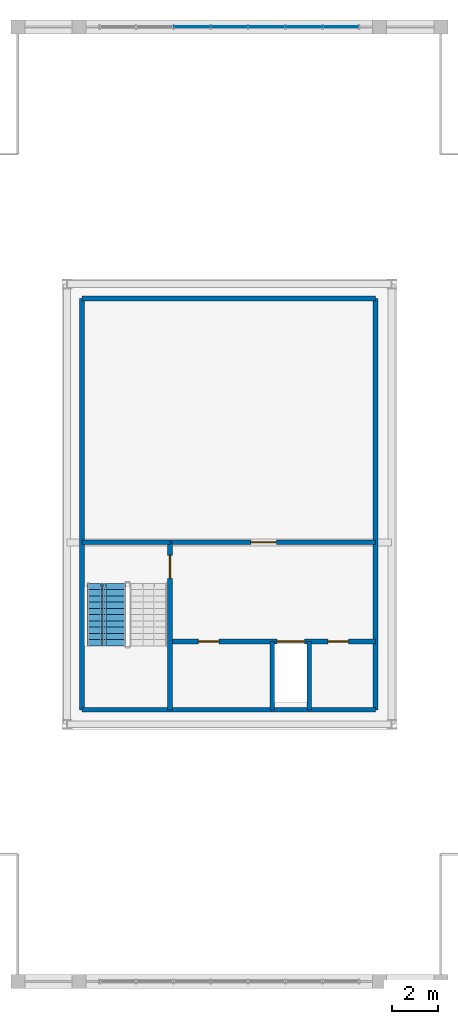
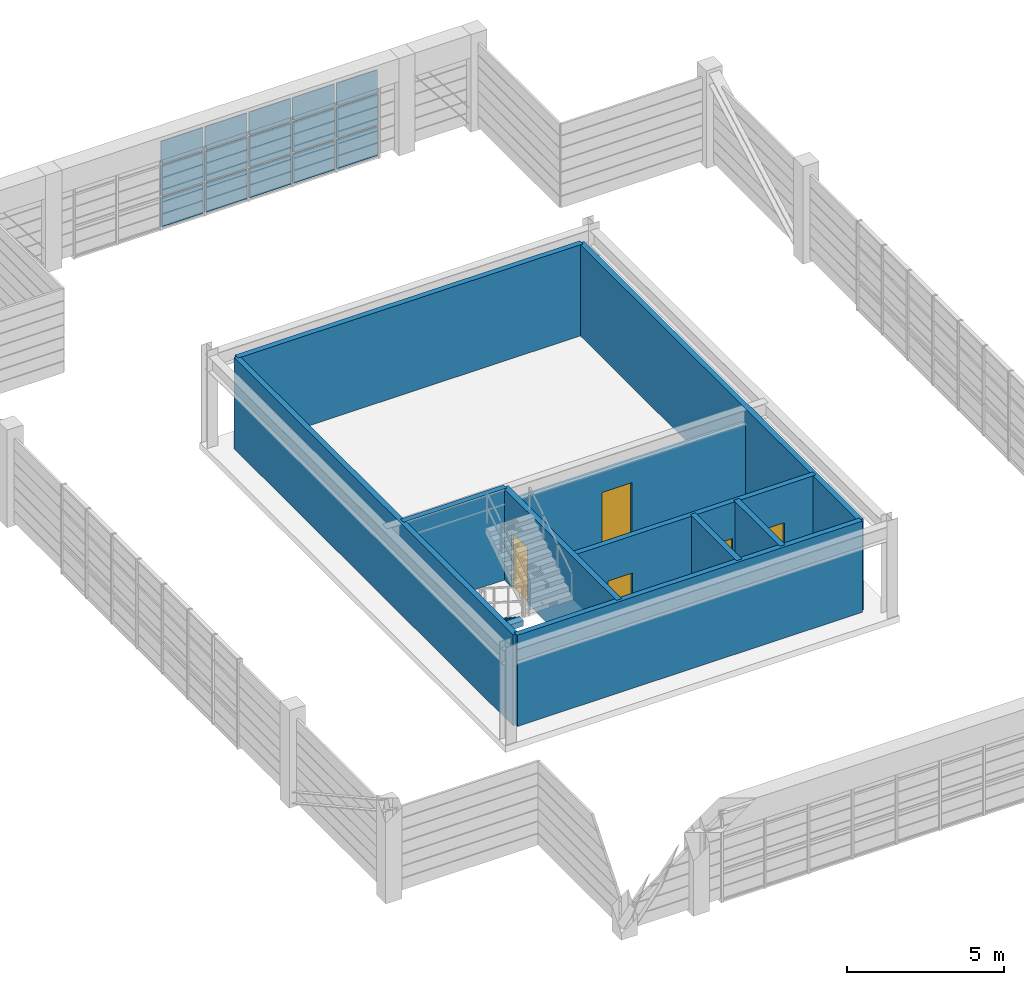
# One storey, part 17 of 21: 15 plates, 10 walls, 5 doors, 1 stair flight, 5 openings, 2 elements without a shape of their own.
"""IFC4 building model written with IfcOpenShell, lengths in metres."""

from ifc_helpers import new_model, si_unit, direction, frame, frame_2d, origin, origin_2d, place, context, subcontext, project, spatial, polyline, rectangle, outline, extrude, source, transform, mapped, material, layer, layer_set, type_object, element, fill, aggregate, save


model = new_model("IFC4")

# Units and contexts
model_context = context("Model", 3, precision=1e-05, world=origin(), true_north=direction((0.0, 1.0)))
body_context = subcontext(model_context, "Body", "Model", "MODEL_VIEW")
ifc_project = project(units=[si_unit("LENGTHUNIT", "METRE"), si_unit("AREAUNIT", "SQUARE_METRE"), si_unit("VOLUMEUNIT", "CUBIC_METRE"), si_unit("PLANEANGLEUNIT", "RADIAN"), si_unit("MASSUNIT", "GRAM", prefix="KILO")], contexts=[model_context])

# Site, building, storey
site_placement = place(None, origin())
site = spatial("IfcSite", under=ifc_project, at=site_placement, CompositionType="ELEMENT")
building_placement = place(site_placement, origin())
building = spatial("IfcBuilding", under=site, at=building_placement, Name="Saelheon Loggia Tower", CompositionType="ELEMENT")
storey_placement = place(building_placement, frame((0.0, 0.0, 259.800048828125)))
storey = spatial("IfcBuildingStorey", under=building, at=storey_placement, Name="CR3", CompositionType="ELEMENT", Elevation=259.800048828125)

# Curtain wall, plates
ifc_material_1 = material(Name="Bronze-Anodised Aluminium and Fritted Ceramic Screen", Category="aluminium")
ifc_layer_1 = layer(ifc_material_1, 0.219970703125)
ifc_layer_set_1 = layer_set([ifc_layer_1], Name="Bronze-Anodised Aluminium and Fritted Ceramic Screen")
curtain_wall_type = type_object("IfcCurtainWallType", Name="CW_CrownScreen", PredefinedType="NOTDEFINED", material=ifc_layer_set_1)
curtain_wall_placement = place(storey_placement, origin())
curtain_wall = element("IfcCurtainWall", 1, at=curtain_wall_placement, inside=storey, type_object=curtain_wall_type, Name="CR3 Crown Central Screen Curtain Wall 6", PredefinedType="NOTDEFINED")
ifc_material_2 = material(Name="Bronze Ceramic Fritted Spandrel Panel", Category="aluminium")
ifc_layer_2 = layer(ifc_material_2, 0.0380859375)
ifc_layer_set_2 = layer_set([ifc_layer_2], Name="Bronze Ceramic Fritted Spandrel Panel")
plate_type = type_object("IfcPlateType", Name="CW_CrownScreen_Panel", PredefinedType="CURTAIN_PANEL", material=ifc_layer_set_2)
shared_shape_1 = source(origin(), body_context, "Body", "SweptSolid", [
    extrude(rectangle(XDim=1.50927734375, YDim=0.0380859375, at=origin_2d()), origin(), (0.0, 0.0, 1.0), 1.14501953125),
])
plate_1_placement = place(storey_placement, frame((42.825439453125, 47.64990234375, 0.06982421875), z_axis=(0.0, 0.0, 1.0), x_axis=(1.0, 0.0, 0.0)))
plate_1 = element("IfcPlate", 2, at=plate_1_placement, type_object=plate_type, Name="CW6 panel 7.1", PredefinedType="CURTAIN_PANEL", context=body_context, shape_type="MappedRepresentation", body=[
    mapped(shared_shape_1, transform((0.0, 0.0, 0.0), scale=1.0)),
])
shared_shape_2 = source(origin(), body_context, "Body", "SweptSolid", [
    extrude(rectangle(XDim=1.50927734375, YDim=0.0380859375, at=origin_2d()), origin(), (0.0, 0.0, 1.0), 1.179931640625),
])
plate_2_placement = place(storey_placement, frame((42.825439453125, 47.64990234375, 1.28515625), z_axis=(0.0, 0.0, 1.0), x_axis=(1.0, 0.0, 0.0)))
plate_2 = element("IfcPlate", 3, at=plate_2_placement, type_object=plate_type, Name="CW6 panel 7.2", PredefinedType="CURTAIN_PANEL", context=body_context, shape_type="MappedRepresentation", body=[
    mapped(shared_shape_2, transform((0.0, 0.0, 0.0), scale=1.0)),
])
shared_shape_3 = source(origin(), body_context, "Body", "SweptSolid", [
    extrude(rectangle(XDim=1.50927734375, YDim=0.0380859375, at=origin_2d()), origin(), (0.0, 0.0, 1.0), 0.875),
])
plate_3_placement = place(storey_placement, frame((42.825439453125, 47.64990234375, 2.534912109375), z_axis=(0.0, 0.0, 1.0), x_axis=(1.0, 0.0, 0.0)))
plate_3 = element("IfcPlate", 4, at=plate_3_placement, type_object=plate_type, Name="CW6 panel 7.3", PredefinedType="CURTAIN_PANEL", context=body_context, shape_type="MappedRepresentation", body=[
    mapped(shared_shape_3, transform((0.0, 0.0, 0.0), scale=1.0)),
])
shared_shape_4 = source(origin(), body_context, "Body", "SweptSolid", [
    extrude(rectangle(XDim=1.544189453125, YDim=0.0380859375, at=origin_2d()), origin(), (0.0, 0.0, 1.0), 1.14501953125),
])
plate_4_placement = place(storey_placement, frame((36.3857421875, 47.64990234375, 0.06982421875), z_axis=(0.0, 0.0, 1.0), x_axis=(1.0, 0.0, 0.0)))
plate_4 = element("IfcPlate", 5, at=plate_4_placement, type_object=plate_type, Name="CW6 panel 3.1", PredefinedType="CURTAIN_PANEL", context=body_context, shape_type="MappedRepresentation", body=[
    mapped(shared_shape_4, transform((0.0, 0.0, 0.0), scale=1.0)),
])
plate_5_placement = place(storey_placement, frame((38.0, 47.64990234375, 0.06982421875), z_axis=(0.0, 0.0, 1.0), x_axis=(1.0, 0.0, 0.0)))
plate_5 = element("IfcPlate", 6, at=plate_5_placement, type_object=plate_type, Name="CW6 panel 4.1", PredefinedType="CURTAIN_PANEL", context=body_context, shape_type="MappedRepresentation", body=[
    mapped(shared_shape_4, transform((0.0, 0.0, 0.0), scale=1.0)),
])
plate_6_placement = place(storey_placement, frame((39.6142578125, 47.64990234375, 0.06982421875), z_axis=(0.0, 0.0, 1.0), x_axis=(1.0, 0.0, 0.0)))
plate_6 = element("IfcPlate", 7, at=plate_6_placement, type_object=plate_type, Name="CW6 panel 5.1", PredefinedType="CURTAIN_PANEL", context=body_context, shape_type="MappedRepresentation", body=[
    mapped(shared_shape_4, transform((0.0, 0.0, 0.0), scale=1.0)),
])
plate_7_placement = place(storey_placement, frame((41.228515625, 47.64990234375, 0.06982421875), z_axis=(0.0, 0.0, 1.0), x_axis=(1.0, 0.0, 0.0)))
plate_7 = element("IfcPlate", 8, at=plate_7_placement, type_object=plate_type, Name="CW6 panel 6.1", PredefinedType="CURTAIN_PANEL", context=body_context, shape_type="MappedRepresentation", body=[
    mapped(shared_shape_4, transform((0.0, 0.0, 0.0), scale=1.0)),
])
shared_shape_5 = source(origin(), body_context, "Body", "SweptSolid", [
    extrude(rectangle(XDim=1.544189453125, YDim=0.0380859375, at=origin_2d()), origin(), (0.0, 0.0, 1.0), 1.179931640625),
])
plate_8_placement = place(storey_placement, frame((36.3857421875, 47.64990234375, 1.28515625), z_axis=(0.0, 0.0, 1.0), x_axis=(1.0, 0.0, 0.0)))
plate_8 = element("IfcPlate", 9, at=plate_8_placement, type_object=plate_type, Name="CW6 panel 3.2", PredefinedType="CURTAIN_PANEL", context=body_context, shape_type="MappedRepresentation", body=[
    mapped(shared_shape_5, transform((0.0, 0.0, 0.0), scale=1.0)),
])
plate_9_placement = place(storey_placement, frame((38.0, 47.64990234375, 1.28515625), z_axis=(0.0, 0.0, 1.0), x_axis=(1.0, 0.0, 0.0)))
plate_9 = element("IfcPlate", 10, at=plate_9_placement, type_object=plate_type, Name="CW6 panel 4.2", PredefinedType="CURTAIN_PANEL", context=body_context, shape_type="MappedRepresentation", body=[
    mapped(shared_shape_5, transform((0.0, 0.0, 0.0), scale=1.0)),
])
plate_10_placement = place(storey_placement, frame((39.6142578125, 47.64990234375, 1.28515625), z_axis=(0.0, 0.0, 1.0), x_axis=(1.0, 0.0, 0.0)))
plate_10 = element("IfcPlate", 11, at=plate_10_placement, type_object=plate_type, Name="CW6 panel 5.2", PredefinedType="CURTAIN_PANEL", context=body_context, shape_type="MappedRepresentation", body=[
    mapped(shared_shape_5, transform((0.0, 0.0, 0.0), scale=1.0)),
])
plate_11_placement = place(storey_placement, frame((41.228515625, 47.64990234375, 1.28515625), z_axis=(0.0, 0.0, 1.0), x_axis=(1.0, 0.0, 0.0)))
plate_11 = element("IfcPlate", 12, at=plate_11_placement, type_object=plate_type, Name="CW6 panel 6.2", PredefinedType="CURTAIN_PANEL", context=body_context, shape_type="MappedRepresentation", body=[
    mapped(shared_shape_5, transform((0.0, 0.0, 0.0), scale=1.0)),
])
shared_shape_6 = source(origin(), body_context, "Body", "SweptSolid", [
    extrude(rectangle(XDim=1.544189453125, YDim=0.0380859375, at=origin_2d()), origin(), (0.0, 0.0, 1.0), 0.875),
])
plate_12_placement = place(storey_placement, frame((36.3857421875, 47.64990234375, 2.534912109375), z_axis=(0.0, 0.0, 1.0), x_axis=(1.0, 0.0, 0.0)))
plate_12 = element("IfcPlate", 13, at=plate_12_placement, type_object=plate_type, Name="CW6 panel 3.3", PredefinedType="CURTAIN_PANEL", context=body_context, shape_type="MappedRepresentation", body=[
    mapped(shared_shape_6, transform((0.0, 0.0, 0.0), scale=1.0)),
])
plate_13_placement = place(storey_placement, frame((38.0, 47.64990234375, 2.534912109375), z_axis=(0.0, 0.0, 1.0), x_axis=(1.0, 0.0, 0.0)))
plate_13 = element("IfcPlate", 14, at=plate_13_placement, type_object=plate_type, Name="CW6 panel 4.3", PredefinedType="CURTAIN_PANEL", context=body_context, shape_type="MappedRepresentation", body=[
    mapped(shared_shape_6, transform((0.0, 0.0, 0.0), scale=1.0)),
])
plate_14_placement = place(storey_placement, frame((39.6142578125, 47.64990234375, 2.534912109375), z_axis=(0.0, 0.0, 1.0), x_axis=(1.0, 0.0, 0.0)))
plate_14 = element("IfcPlate", 15, at=plate_14_placement, type_object=plate_type, Name="CW6 panel 5.3", PredefinedType="CURTAIN_PANEL", context=body_context, shape_type="MappedRepresentation", body=[
    mapped(shared_shape_6, transform((0.0, 0.0, 0.0), scale=1.0)),
])
plate_15_placement = place(storey_placement, frame((41.228515625, 47.64990234375, 2.534912109375), z_axis=(0.0, 0.0, 1.0), x_axis=(1.0, 0.0, 0.0)))
plate_15 = element("IfcPlate", 16, at=plate_15_placement, type_object=plate_type, Name="CW6 panel 6.3", PredefinedType="CURTAIN_PANEL", context=body_context, shape_type="MappedRepresentation", body=[
    mapped(shared_shape_6, transform((0.0, 0.0, 0.0), scale=1.0)),
])
aggregate(curtain_wall, [plate_4, plate_8, plate_12, plate_5, plate_9, plate_13, plate_6, plate_10, plate_14, plate_7, plate_11, plate_15, plate_1, plate_2, plate_3])

# Walls
ifc_material_3 = material(Name="Concrete C40/50", Category="concrete")
ifc_layer_3 = layer(ifc_material_3, 0.199951171875)
ifc_layer_set_3 = layer_set([ifc_layer_3], Name="Concrete C40/50")
wall_type_1 = type_object("IfcWallType", Name="Wall_Shaft_200", PredefinedType="PARTITIONING", material=ifc_layer_set_3)
for number, where, z_axis, x_axis, name in (
    (17, (39.85009765625, 18.10009765625, 0.0), (0.0, 0.0, 1.0), (0.0, 1.0, 0.0), "CR3 SV1 Shaft West Wall"),
    (18, (41.449951171875, 18.10009765625, 0.0), (0.0, 0.0, 1.0), (0.0, 1.0, 0.0), "CR3 SV1 Shaft East Wall"),
):
    element("IfcWall", number, at=place(storey_placement, frame(where, z_axis=z_axis, x_axis=x_axis)), inside=storey, type_object=wall_type_1, Name=name, PredefinedType="PARTITIONING", context=body_context, shape_type="SweptSolid", body=[
        extrude(rectangle(XDim=2.9599609375, YDim=0.199951171875, at=frame_2d((1.47998046875, 0.0))), origin(), (0.0, 0.0, 1.0), 3.550048828125),
    ])

# Wall, openings, doors
wall_1_placement = place(storey_placement, frame((35.429931640625, 21.06005859375, 0.0), z_axis=(0.0, 0.0, 1.0), x_axis=(1.0, 0.0, 0.0)))
wall_1 = element("IfcWall", 19, at=wall_1_placement, inside=storey, type_object=wall_type_1, Name="CR3 SV1 Shaft Front Wall", PredefinedType="PARTITIONING", context=body_context, shape_type="SweptSolid", body=[
    extrude(rectangle(XDim=8.89013671875, YDim=0.199951171875, at=frame_2d((4.445068359375, 0.0))), origin(), (0.0, 0.0, 1.0), 3.550048828125),
])
opening_1_placement = place(wall_1_placement, frame((1.22998046875, 0.0, 0.0)))
opening_1 = element("IfcOpeningElement", 20, at=opening_1_placement, cuts=wall_1, Name="Opening D-RS1", PredefinedType="OPENING", context=body_context, shape_type="SweptSolid", body=[
    extrude(rectangle(XDim=0.89990234375, YDim=2.10009765625, at=frame_2d((0.449951171875, 1.050048828125))), frame((0.0, 0.112060546875, 0.0), z_axis=(0.0, -1.0, 0.0), x_axis=(1.0, 0.0, 0.0)), (0.0, 0.0, 1.0), 0.223876953125),
])
opening_2_placement = place(wall_1_placement, frame((4.6201171875, 0.0, 0.0)))
opening_2 = element("IfcOpeningElement", 21, at=opening_2_placement, cuts=wall_1, Name="Opening LD3", PredefinedType="OPENING", context=body_context, shape_type="SweptSolid", body=[
    extrude(rectangle(XDim=1.199951171875, YDim=2.14990234375, at=frame_2d((0.60009765625, 1.074951171875))), frame((0.0, 0.112060546875, 0.0), z_axis=(0.0, -1.0, 0.0), x_axis=(1.0, 0.0, 0.0)), (0.0, 0.0, 1.0), 0.223876953125),
])
opening_3_placement = place(wall_1_placement, frame((6.830078125, 0.0, 0.0)))
opening_3 = element("IfcOpeningElement", 22, at=opening_3_placement, cuts=wall_1, Name="Opening D-RS1", PredefinedType="OPENING", context=body_context, shape_type="SweptSolid", body=[
    extrude(rectangle(XDim=0.89990234375, YDim=2.10009765625, at=frame_2d((0.449951171875, 1.050048828125))), frame((0.0, 0.112060546875, 0.0), z_axis=(0.0, -1.0, 0.0), x_axis=(1.0, 0.0, 0.0)), (0.0, 0.0, 1.0), 0.223876953125),
])
ifc_material_4 = material(Name="Galvanised Steel Riser Access Door", Category="steel")
door_type_1 = type_object("IfcDoorType", Name="Door_Riser_FD60", OperationType="NOTDEFINED", PredefinedType="DOOR", material=ifc_material_4)
shared_shape_7 = source(origin(), body_context, "Body", "SweptSolid", [
    extrude(rectangle(XDim=0.89990234375, YDim=2.10009765625, at=frame_2d((0.449951171875, 1.050048828125))), frame((0.0, 0.02490234375, 0.0), z_axis=(0.0, -1.0, 0.0), x_axis=(1.0, 0.0, 0.0)), (0.0, 0.0, 1.0), 0.050048828125),
])
door_1_placement = place(opening_1_placement, origin())
door_1 = element("IfcDoor", 23, at=door_1_placement, inside=storey, type_object=door_type_1, Name="CR3 West Riser Closet Door", OperationType="SINGLE_SWING_LEFT", OverallHeight=2.10009765625, OverallWidth=0.89990234375, PredefinedType="DOOR", context=body_context, shape_type="MappedRepresentation", body=[
    mapped(shared_shape_7, transform((0.0, 0.0, 0.0), scale=1.0)),
])
fill(opening_1, door_1)
door_2_placement = place(opening_3_placement, origin())
door_2 = element("IfcDoor", 24, at=door_2_placement, inside=storey, type_object=door_type_1, Name="CR3 East Riser Closet Door", OperationType="SINGLE_SWING_RIGHT", OverallHeight=2.10009765625, OverallWidth=0.89990234375, PredefinedType="DOOR", context=body_context, shape_type="MappedRepresentation", body=[
    mapped(shared_shape_7, transform((0.0, 0.0, 0.0), scale=1.0)),
])
fill(opening_3, door_2)
ifc_material_5 = material(Name="Stretcher Lift Stainless Steel 304 Landing Door", Category="steel")
door_type_2 = type_object("IfcDoorType", Name="Door_Lift_LD3", OperationType="DOUBLE_DOOR_SLIDING", PredefinedType="DOOR", material=ifc_material_5)
shared_shape_8 = source(origin(), body_context, "Body", "SweptSolid", [
    extrude(rectangle(XDim=1.199951171875, YDim=2.14990234375, at=frame_2d((0.60009765625, 1.074951171875))), frame((0.0, 0.02490234375, 0.0), z_axis=(0.0, -1.0, 0.0), x_axis=(1.0, 0.0, 0.0)), (0.0, 0.0, 1.0), 0.050048828125),
])
door_3_placement = place(opening_2_placement, origin())
door_3 = element("IfcDoor", 25, at=door_3_placement, inside=storey, type_object=door_type_2, Name="CR3 SV1 Landing Door", OperationType="DOUBLE_DOOR_SLIDING", OverallHeight=2.14990234375, OverallWidth=1.199951171875, PredefinedType="DOOR", context=body_context, shape_type="MappedRepresentation", body=[
    mapped(shared_shape_8, transform((0.0, 0.0, 0.0), scale=1.0)),
])
fill(opening_2, door_3)

# Wall, opening, door
wall_2_placement = place(storey_placement, frame((35.429931640625, 25.360107421875, 0.0), z_axis=(0.0, 0.0, 1.0), x_axis=(1.0, 0.0, 0.0)))
wall_2 = element("IfcWall", 26, at=wall_2_placement, inside=storey, type_object=wall_type_1, Name="CR3 Service Lift Lobby North Wall", PredefinedType="PARTITIONING", context=body_context, shape_type="SweptSolid", body=[
    extrude(rectangle(XDim=8.89013671875, YDim=0.199951171875, at=frame_2d((4.445068359375, 0.0))), origin(), (0.0, 0.0, 1.0), 2.951904296875),
])
opening_4_placement = place(wall_2_placement, frame((3.5, 0.0, 0.0)))
opening_4 = element("IfcOpeningElement", 27, at=opening_4_placement, cuts=wall_2, Name="Opening D-FD2", PredefinedType="OPENING", context=body_context, shape_type="SweptSolid", body=[
    extrude(rectangle(XDim=1.10009765625, YDim=2.14990234375, at=frame_2d((0.550048828125, 1.074951171875))), frame((0.0, 0.112060546875, 0.0), z_axis=(0.0, -1.0, 0.0), x_axis=(1.0, 0.0, 0.0)), (0.0, 0.0, 1.0), 0.223876953125),
])
ifc_material_6 = material(Name="Galvanised Steel Fire Door", Category="steel")
door_type_3 = type_object("IfcDoorType", Name="Door_Fire_FD60_1100", OperationType="NOTDEFINED", PredefinedType="DOOR", material=ifc_material_6)
shared_shape_9 = source(origin(), body_context, "Body", "SweptSolid", [
    extrude(rectangle(XDim=1.10009765625, YDim=2.14990234375, at=frame_2d((0.550048828125, 1.074951171875))), frame((0.0, 0.02490234375, 0.0), z_axis=(0.0, -1.0, 0.0), x_axis=(1.0, 0.0, 0.0)), (0.0, 0.0, 1.0), 0.050048828125),
])
door_4_placement = place(opening_4_placement, origin())
door_4 = element("IfcDoor", 28, at=door_4_placement, inside=storey, type_object=door_type_3, Name="CR3 Crown Mechanical Room Door", OperationType="SINGLE_SWING_LEFT", OverallHeight=2.14990234375, OverallWidth=1.10009765625, PredefinedType="DOOR", context=body_context, shape_type="MappedRepresentation", body=[
    mapped(shared_shape_9, transform((0.0, 0.0, 0.0), scale=1.0)),
])
fill(opening_4, door_4)

# Walls
ifc_material_7 = material(Name="Concrete C45/55", Category="concrete")
ifc_layer_4 = layer(ifc_material_7, 0.199951171875)
ifc_layer_set_4 = layer_set([ifc_layer_4], Name="Concrete C45/55")
wall_type_2 = type_object("IfcWallType", Name="Wall_StairShaft_RC200", PredefinedType="SOLIDWALL", material=ifc_layer_set_4)
for number, where, z_axis, x_axis, name in (
    (29, (31.6201171875, 18.10009765625, 0.0), (0.0, 0.0, 1.0), (0.0, 1.0, 0.0), "CR3 Crown Core West Enclosure Wall"),
    (30, (44.320068359375, 18.10009765625, 0.0), (0.0, 0.0, 1.0), (0.0, 1.0, 0.0), "CR3 Crown Core East Enclosure Wall"),
):
    element("IfcWall", number, at=place(storey_placement, frame(where, z_axis=z_axis, x_axis=x_axis)), inside=storey, type_object=wall_type_2, Name=name, PredefinedType="SOLIDWALL", context=body_context, shape_type="SweptSolid", body=[
        extrude(rectangle(XDim=17.7998046875, YDim=0.199951171875, at=frame_2d((8.89990234375, 0.0))), origin(), (0.0, 0.0, 1.0), 3.550048828125),
    ])
for number, where, z_axis, x_axis, name in (
    (31, (31.6201171875, 18.10009765625, 0.0), (0.0, 0.0, 1.0), (1.0, 0.0, 0.0), "CR3 Crown Core South Enclosure Wall"),
    (32, (31.6201171875, 35.89990234375, 0.0), (0.0, 0.0, 1.0), (1.0, 0.0, 0.0), "CR3 Crown Core North Enclosure Wall"),
):
    element("IfcWall", number, at=place(storey_placement, frame(where, z_axis=z_axis, x_axis=x_axis)), inside=storey, type_object=wall_type_2, Name=name, PredefinedType="SOLIDWALL", context=body_context, shape_type="SweptSolid", body=[
        extrude(rectangle(XDim=12.699951171875, YDim=0.199951171875, at=frame_2d((6.35009765625, 0.0))), origin(), (0.0, 0.0, 1.0), 3.550048828125),
    ])

# Wall, opening, door
wall_3_placement = place(storey_placement, frame((35.429931640625, 18.10009765625, 0.0), z_axis=(0.0, 0.0, 1.0), x_axis=(0.0, 1.0, 0.0)))
wall_3 = element("IfcWall", 33, at=wall_3_placement, inside=storey, type_object=wall_type_2, Name="CR3 ST5 Shaft East Wall", PredefinedType="SOLIDWALL", context=body_context, shape_type="SweptSolid", body=[
    extrude(rectangle(XDim=7.260009765625, YDim=0.199951171875, at=frame_2d((3.6298828125, 0.0))), origin(), (0.0, 0.0, 1.0), 3.550048828125),
])
opening_5_placement = place(wall_3_placement, frame((6.68994140625, 0.0, 0.0), z_axis=(0.0, 0.0, 1.0), x_axis=(-1.0, 0.0, 0.0)))
opening_5 = element("IfcOpeningElement", 34, at=opening_5_placement, cuts=wall_3, Name="Opening D-FD2C", PredefinedType="OPENING", context=body_context, shape_type="SweptSolid", body=[
    extrude(rectangle(XDim=1.0, YDim=2.14990234375, at=frame_2d((0.5, 1.074951171875))), frame((0.0, 0.112060546875, 0.0), z_axis=(0.0, -1.0, 0.0), x_axis=(1.0, 0.0, 0.0)), (0.0, 0.0, 1.0), 0.223876953125),
])
door_type_4 = type_object("IfcDoorType", Name="Door_Fire_FD60_1000", OperationType="NOTDEFINED", PredefinedType="DOOR", material=ifc_material_6)
shared_shape_10 = source(origin(), body_context, "Body", "SweptSolid", [
    extrude(rectangle(XDim=1.0, YDim=2.14990234375, at=frame_2d((0.5, 1.074951171875))), frame((0.0, 0.02490234375, 0.0), z_axis=(0.0, -1.0, 0.0), x_axis=(1.0, 0.0, 0.0)), (0.0, 0.0, 1.0), 0.050048828125),
])
door_5_placement = place(opening_5_placement, origin())
door_5 = element("IfcDoor", 35, at=door_5_placement, inside=storey, type_object=door_type_4, Name="CR3 Crown Stair ST5 Door", OperationType="SINGLE_SWING_RIGHT", OverallHeight=2.14990234375, OverallWidth=1.0, PredefinedType="DOOR", context=body_context, shape_type="MappedRepresentation", body=[
    mapped(shared_shape_10, transform((0.0, 0.0, 0.0), scale=1.0)),
])
fill(opening_5, door_5)

# Wall
wall_4_placement = place(storey_placement, frame((31.6201171875, 25.360107421875, 0.0), z_axis=(0.0, 0.0, 1.0), x_axis=(1.0, 0.0, 0.0)))
element("IfcWall", 36, at=wall_4_placement, inside=storey, type_object=wall_type_2, Name="CR3 ST5 Shaft North Wall", PredefinedType="SOLIDWALL", context=body_context, shape_type="SweptSolid", body=[
    extrude(rectangle(XDim=3.809814453125, YDim=0.199951171875, at=frame_2d((1.90478515625, 0.0))), origin(), (0.0, 0.0, 1.0), 3.550048828125),
])

# Stair, stair flight
stair_type = type_object("IfcStairType", Name="Stair_Plant_Crown", PredefinedType="HALF_TURN_STAIR", material=ifc_material_3)
stair_placement = place(storey_placement, origin())
stair = element("IfcStair", 37, at=stair_placement, inside=storey, type_object=stair_type, Name="CR3 Crown Plant Stair ST5", PredefinedType="HALF_TURN_STAIR")
stair_flight_type = type_object("IfcStairFlightType", Name="StairFlight_Crown_1520", PredefinedType="STRAIGHT", material=ifc_material_3)
stair_flight_placement = place(storey_placement, frame((32.679931640625, 23.570068359375, 0.0), z_axis=(0.0, 0.0, 1.0), x_axis=(0.0, -1.0, 0.0)))
stair_flight = element("IfcStairFlight", 38, at=stair_flight_placement, type_object=stair_flight_type, Name="ST5 flight 1", NumberOfRisers=11, NumberOfTreads=10, PredefinedType="STRAIGHT", RiserHeight=0.172727273, TreadLength=0.27, context=body_context, shape_type="SweptSolid", body=[
    extrude(outline(polyline([(0.0, 0.0), (0.0, 0.172607421875), (0.27001953125, 0.172607421875), (0.27001953125, 0.345458984375), (0.5400390625, 0.345458984375), (0.5400390625, 0.51806640625), (0.81005859375, 0.51806640625), (0.81005859375, 0.69091796875), (1.080078125, 0.69091796875), (1.080078125, 0.863525390625), (1.35009765625, 0.863525390625), (1.35009765625, 1.036376953125), (1.6201171875, 1.036376953125), (1.6201171875, 1.208984375), (1.889892578125, 1.208984375), (1.889892578125, 1.3818359375), (2.159912109375, 1.3818359375), (2.159912109375, 1.554443359375), (2.429931640625, 1.554443359375), (2.429931640625, 1.727294921875), (2.699951171875, 1.727294921875), (2.699951171875, 1.89990234375), (2.699951171875, 1.513671875), (0.333984375, 0.0), (0.0, 0.0)])), frame((0.0, -0.2490234375, 0.0), z_axis=(0.0, -1.0, 0.0), x_axis=(1.0, 0.0, 0.0)), (0.0, 0.0, 1.0), 0.5810546875),
    extrude(outline(polyline([(0.0, 0.0), (0.0, 0.172607421875), (0.27001953125, 0.172607421875), (0.27001953125, 0.345458984375), (0.5400390625, 0.345458984375), (0.5400390625, 0.51806640625), (0.81005859375, 0.51806640625), (0.81005859375, 0.69091796875), (1.080078125, 0.69091796875), (1.080078125, 0.863525390625), (1.35009765625, 0.863525390625), (1.35009765625, 1.036376953125), (1.6201171875, 1.036376953125), (1.6201171875, 1.208984375), (1.889892578125, 1.208984375), (1.889892578125, 1.3818359375), (2.159912109375, 1.3818359375), (2.159912109375, 1.554443359375), (2.429931640625, 1.554443359375), (2.429931640625, 1.727294921875), (2.699951171875, 1.727294921875), (2.699951171875, 1.89990234375), (2.699951171875, 1.513671875), (0.333984375, 0.0), (0.0, 0.0)])), frame((0.0, -0.194091796875, 0.0), z_axis=(0.0, -1.0, 0.0), x_axis=(1.0, 0.0, 0.0)), (0.0, 0.0, 1.0), 0.0498046875),
    extrude(outline(polyline([(0.0, 0.0), (0.0, 0.172607421875), (0.27001953125, 0.172607421875), (0.27001953125, 0.345458984375), (0.5400390625, 0.345458984375), (0.5400390625, 0.51806640625), (0.81005859375, 0.51806640625), (0.81005859375, 0.69091796875), (1.080078125, 0.69091796875), (1.080078125, 0.863525390625), (1.35009765625, 0.863525390625), (1.35009765625, 1.036376953125), (1.6201171875, 1.036376953125), (1.6201171875, 1.208984375), (1.889892578125, 1.208984375), (1.889892578125, 1.3818359375), (2.159912109375, 1.3818359375), (2.159912109375, 1.554443359375), (2.429931640625, 1.554443359375), (2.429931640625, 1.727294921875), (2.699951171875, 1.727294921875), (2.699951171875, 1.89990234375), (2.699951171875, 1.513671875), (0.333984375, 0.0), (0.0, 0.0)])), frame((0.0, -0.139404296875, 0.0), z_axis=(0.0, -1.0, 0.0), x_axis=(1.0, 0.0, 0.0)), (0.0, 0.0, 1.0), 0.0498046875),
    extrude(outline(polyline([(0.0, 0.0), (0.0, 0.172607421875), (0.27001953125, 0.172607421875), (0.27001953125, 0.345458984375), (0.5400390625, 0.345458984375), (0.5400390625, 0.51806640625), (0.81005859375, 0.51806640625), (0.81005859375, 0.69091796875), (1.080078125, 0.69091796875), (1.080078125, 0.863525390625), (1.35009765625, 0.863525390625), (1.35009765625, 1.036376953125), (1.6201171875, 1.036376953125), (1.6201171875, 1.208984375), (1.889892578125, 1.208984375), (1.889892578125, 1.3818359375), (2.159912109375, 1.3818359375), (2.159912109375, 1.554443359375), (2.429931640625, 1.554443359375), (2.429931640625, 1.727294921875), (2.699951171875, 1.727294921875), (2.699951171875, 1.89990234375), (2.699951171875, 1.513671875), (0.333984375, 0.0), (0.0, 0.0)])), frame((0.0, -0.084716796875, 0.0), z_axis=(0.0, -1.0, 0.0), x_axis=(1.0, 0.0, 0.0)), (0.0, 0.0, 1.0), 0.0498046875),
    extrude(outline(polyline([(0.0, 0.0), (0.0, 0.172607421875), (0.27001953125, 0.172607421875), (0.27001953125, 0.345458984375), (0.5400390625, 0.345458984375), (0.5400390625, 0.51806640625), (0.81005859375, 0.51806640625), (0.81005859375, 0.69091796875), (1.080078125, 0.69091796875), (1.080078125, 0.863525390625), (1.35009765625, 0.863525390625), (1.35009765625, 1.036376953125), (1.6201171875, 1.036376953125), (1.6201171875, 1.208984375), (1.889892578125, 1.208984375), (1.889892578125, 1.3818359375), (2.159912109375, 1.3818359375), (2.159912109375, 1.554443359375), (2.429931640625, 1.554443359375), (2.429931640625, 1.727294921875), (2.699951171875, 1.727294921875), (2.699951171875, 1.89990234375), (2.699951171875, 1.513671875), (0.333984375, 0.0), (0.0, 0.0)])), frame((0.0, -0.02978515625, 0.0), z_axis=(0.0, -1.0, 0.0), x_axis=(1.0, 0.0, 0.0)), (0.0, 0.0, 1.0), 0.0498046875),
    extrude(outline(polyline([(0.0, 0.0), (0.0, 0.172607421875), (0.27001953125, 0.172607421875), (0.27001953125, 0.345458984375), (0.5400390625, 0.345458984375), (0.5400390625, 0.51806640625), (0.81005859375, 0.51806640625), (0.81005859375, 0.69091796875), (1.080078125, 0.69091796875), (1.080078125, 0.863525390625), (1.35009765625, 0.863525390625), (1.35009765625, 1.036376953125), (1.6201171875, 1.036376953125), (1.6201171875, 1.208984375), (1.889892578125, 1.208984375), (1.889892578125, 1.3818359375), (2.159912109375, 1.3818359375), (2.159912109375, 1.554443359375), (2.429931640625, 1.554443359375), (2.429931640625, 1.727294921875), (2.699951171875, 1.727294921875), (2.699951171875, 1.89990234375), (2.699951171875, 1.513671875), (0.333984375, 0.0), (0.0, 0.0)])), frame((0.0, 0.02490234375, 0.0), z_axis=(0.0, -1.0, 0.0), x_axis=(1.0, 0.0, 0.0)), (0.0, 0.0, 1.0), 0.0498046875),
    extrude(outline(polyline([(0.0, 0.0), (0.0, 0.172607421875), (0.27001953125, 0.172607421875), (0.27001953125, 0.345458984375), (0.5400390625, 0.345458984375), (0.5400390625, 0.51806640625), (0.81005859375, 0.51806640625), (0.81005859375, 0.69091796875), (1.080078125, 0.69091796875), (1.080078125, 0.863525390625), (1.35009765625, 0.863525390625), (1.35009765625, 1.036376953125), (1.6201171875, 1.036376953125), (1.6201171875, 1.208984375), (1.889892578125, 1.208984375), (1.889892578125, 1.3818359375), (2.159912109375, 1.3818359375), (2.159912109375, 1.554443359375), (2.429931640625, 1.554443359375), (2.429931640625, 1.727294921875), (2.699951171875, 1.727294921875), (2.699951171875, 1.89990234375), (2.699951171875, 1.513671875), (0.333984375, 0.0), (0.0, 0.0)])), frame((0.0, 0.07958984375, 0.0), z_axis=(0.0, -1.0, 0.0), x_axis=(1.0, 0.0, 0.0)), (0.0, 0.0, 1.0), 0.0498046875),
    extrude(outline(polyline([(0.0, 0.0), (0.0, 0.172607421875), (0.27001953125, 0.172607421875), (0.27001953125, 0.345458984375), (0.5400390625, 0.345458984375), (0.5400390625, 0.51806640625), (0.81005859375, 0.51806640625), (0.81005859375, 0.69091796875), (1.080078125, 0.69091796875), (1.080078125, 0.863525390625), (1.35009765625, 0.863525390625), (1.35009765625, 1.036376953125), (1.6201171875, 1.036376953125), (1.6201171875, 1.208984375), (1.889892578125, 1.208984375), (1.889892578125, 1.3818359375), (2.159912109375, 1.3818359375), (2.159912109375, 1.554443359375), (2.429931640625, 1.554443359375), (2.429931640625, 1.727294921875), (2.699951171875, 1.727294921875), (2.699951171875, 1.89990234375), (2.699951171875, 1.513671875), (0.333984375, 0.0), (0.0, 0.0)])), frame((0.0, 0.134521484375, 0.0), z_axis=(0.0, -1.0, 0.0), x_axis=(1.0, 0.0, 0.0)), (0.0, 0.0, 1.0), 0.0498046875),
    extrude(outline(polyline([(0.0, 0.0), (0.0, 0.172607421875), (0.27001953125, 0.172607421875), (0.27001953125, 0.345458984375), (0.5400390625, 0.345458984375), (0.5400390625, 0.51806640625), (0.81005859375, 0.51806640625), (0.81005859375, 0.69091796875), (1.080078125, 0.69091796875), (1.080078125, 0.863525390625), (1.35009765625, 0.863525390625), (1.35009765625, 1.036376953125), (1.6201171875, 1.036376953125), (1.6201171875, 1.208984375), (1.889892578125, 1.208984375), (1.889892578125, 1.3818359375), (2.159912109375, 1.3818359375), (2.159912109375, 1.554443359375), (2.429931640625, 1.554443359375), (2.429931640625, 1.727294921875), (2.699951171875, 1.727294921875), (2.699951171875, 1.89990234375), (2.699951171875, 1.513671875), (0.333984375, 0.0), (0.0, 0.0)])), frame((0.0, 0.189208984375, 0.0), z_axis=(0.0, -1.0, 0.0), x_axis=(1.0, 0.0, 0.0)), (0.0, 0.0, 1.0), 0.0498046875),
    extrude(outline(polyline([(0.0, 0.0), (0.0, 0.172607421875), (0.27001953125, 0.172607421875), (0.27001953125, 0.345458984375), (0.5400390625, 0.345458984375), (0.5400390625, 0.51806640625), (0.81005859375, 0.51806640625), (0.81005859375, 0.69091796875), (1.080078125, 0.69091796875), (1.080078125, 0.863525390625), (1.35009765625, 0.863525390625), (1.35009765625, 1.036376953125), (1.6201171875, 1.036376953125), (1.6201171875, 1.208984375), (1.889892578125, 1.208984375), (1.889892578125, 1.3818359375), (2.159912109375, 1.3818359375), (2.159912109375, 1.554443359375), (2.429931640625, 1.554443359375), (2.429931640625, 1.727294921875), (2.699951171875, 1.727294921875), (2.699951171875, 1.89990234375), (2.699951171875, 1.513671875), (0.333984375, 0.0), (0.0, 0.0)])), frame((0.0, 0.243896484375, 0.0), z_axis=(0.0, -1.0, 0.0), x_axis=(1.0, 0.0, 0.0)), (0.0, 0.0, 1.0), 0.0498046875),
    extrude(outline(polyline([(0.0, 0.0), (0.0, 0.172607421875), (0.27001953125, 0.172607421875), (0.27001953125, 0.345458984375), (0.5400390625, 0.345458984375), (0.5400390625, 0.51806640625), (0.81005859375, 0.51806640625), (0.81005859375, 0.69091796875), (1.080078125, 0.69091796875), (1.080078125, 0.863525390625), (1.35009765625, 0.863525390625), (1.35009765625, 1.036376953125), (1.6201171875, 1.036376953125), (1.6201171875, 1.208984375), (1.889892578125, 1.208984375), (1.889892578125, 1.3818359375), (2.159912109375, 1.3818359375), (2.159912109375, 1.554443359375), (2.429931640625, 1.554443359375), (2.429931640625, 1.727294921875), (2.699951171875, 1.727294921875), (2.699951171875, 1.89990234375), (2.699951171875, 1.513671875), (0.333984375, 0.0), (0.0, 0.0)])), frame((0.0, 0.830078125, 0.0), z_axis=(0.0, -1.0, 0.0), x_axis=(1.0, 0.0, 0.0)), (0.0, 0.0, 1.0), 0.5810546875),
])
aggregate(stair, [stair_flight])

save(model, "model.ifc")
